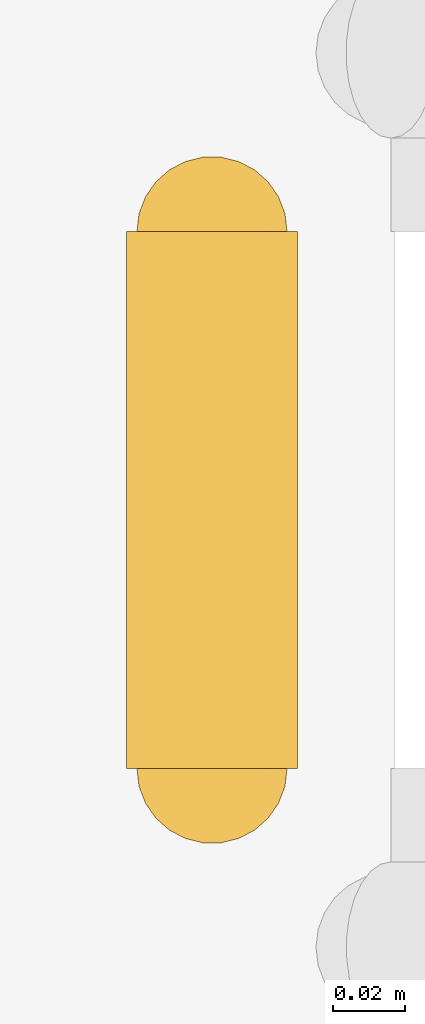
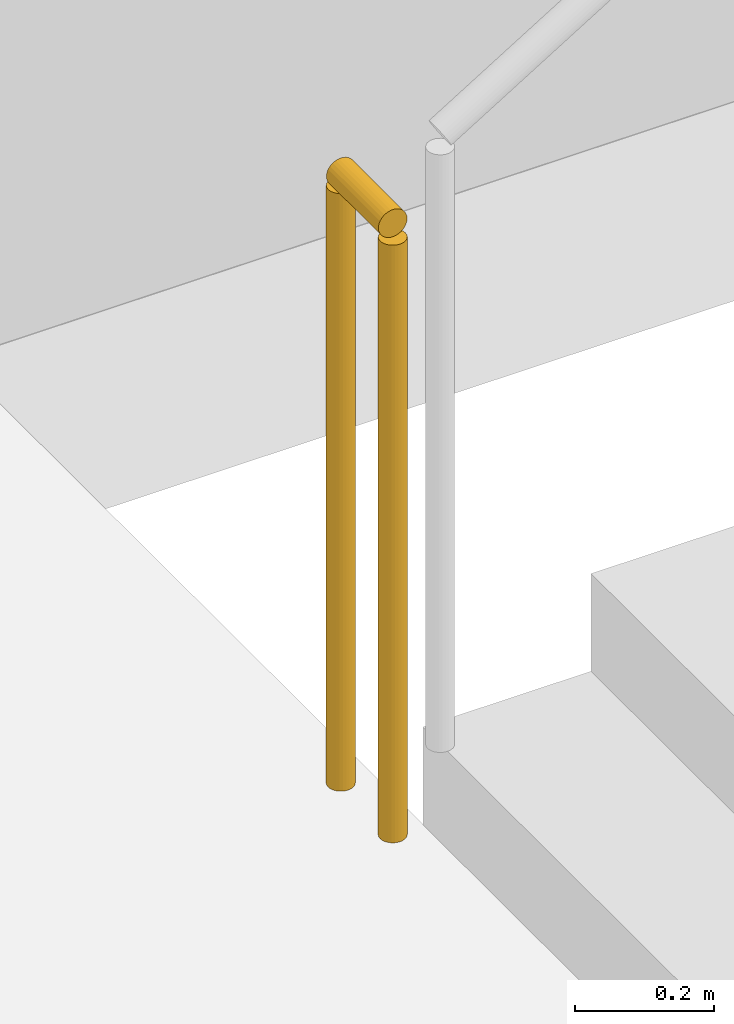
# One storey, part 8 of 13: 1 railing.
"""IFC4 building model written with IfcOpenShell, lengths in metres."""

from ifc_helpers import new_model, si_unit, direction, frame, origin, origin_2d, place, context, subcontext, project, spatial, circle, extrude, material, type_object, element, save


model = new_model("IFC4")

# Units and contexts
model_context = context("Model", 3, precision=1e-05, world=origin(), true_north=direction((0.0, 1.0)))
body_context = subcontext(model_context, "Body", "Model", "MODEL_VIEW")
ifc_project = project(units=[si_unit("LENGTHUNIT", "METRE"), si_unit("AREAUNIT", "SQUARE_METRE"), si_unit("VOLUMEUNIT", "CUBIC_METRE"), si_unit("PLANEANGLEUNIT", "RADIAN"), si_unit("MASSUNIT", "GRAM", prefix="KILO")], contexts=[model_context])

# Site, building, storey
site_placement = place(None, origin())
site = spatial("IfcSite", under=ifc_project, at=site_placement, CompositionType="ELEMENT")
building_placement = place(site_placement, origin())
building = spatial("IfcBuilding", under=site, at=building_placement, Name="Ostrand Prow Hotel Tower", CompositionType="ELEMENT")
storey_placement = place(building_placement, frame((0.0, 0.0, 13.5)))
storey = spatial("IfcBuildingStorey", under=building, at=storey_placement, Name="L02", CompositionType="ELEMENT", Elevation=13.5)

# Railing
ifc_material = material(Name="Painted steel", Category="steel")
railing_type = type_object("IfcRailingType", Name="Stair guard 1100", PredefinedType="GUARDRAIL", material=ifc_material)
railing_placement = place(storey_placement, frame((57.14990234375, -11.699951171875, 0.0)))
element("IfcRailing", 1, at=railing_placement, inside=storey, type_object=railing_type, Name="L02 ST2B stair guard 4", PredefinedType="GUARDRAIL", context=body_context, shape_type="SweptSolid", body=[
    extrude(circle(Radius=0.02392578125, at=origin_2d()), frame((0.0, 0.0, 1.076171875), z_axis=(0.0, 1.0, 0.0), x_axis=(-1.0, 0.0, 0.0)), (0.0, 0.0, 1.0), 0.14990234375),
    extrude(circle(Radius=0.02099609375, at=origin_2d()), origin(), (0.0, 0.0, 1.0), 1.052001953125),
    extrude(circle(Radius=0.02099609375, at=origin_2d()), frame((0.0, 0.14990234375, 0.0)), (0.0, 0.0, 1.0), 1.052001953125),
])

save(model, "model.ifc")
